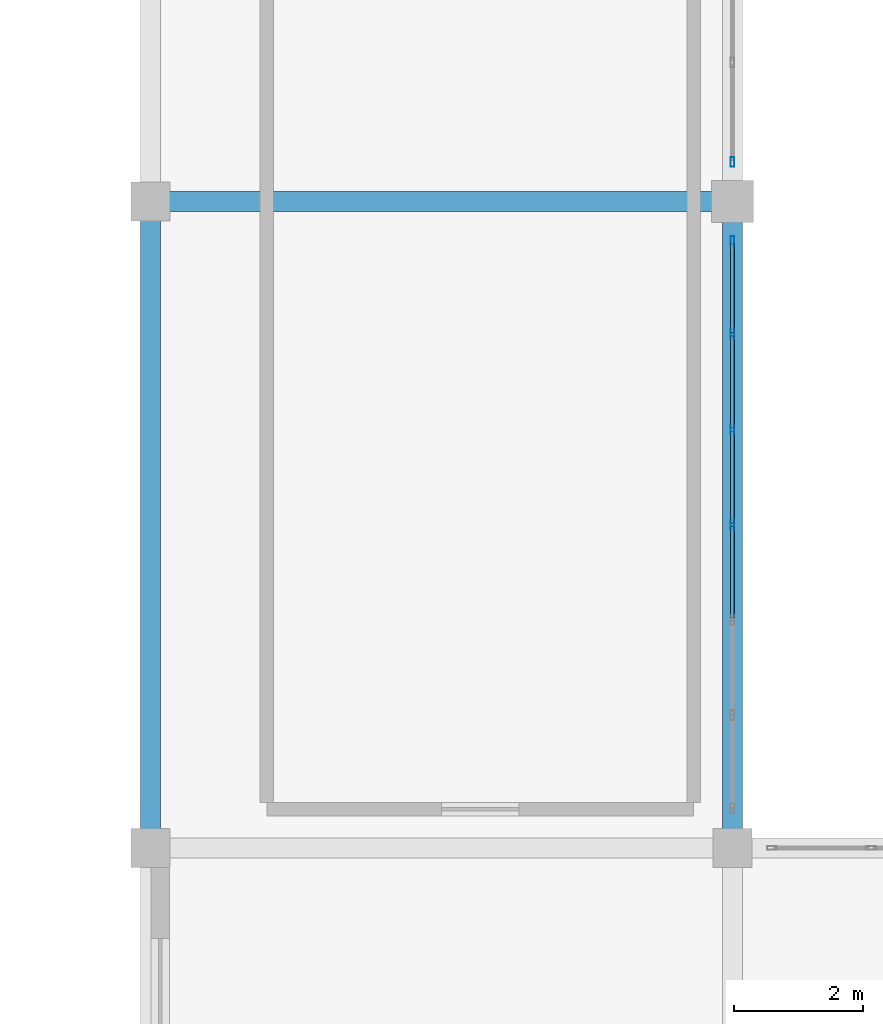
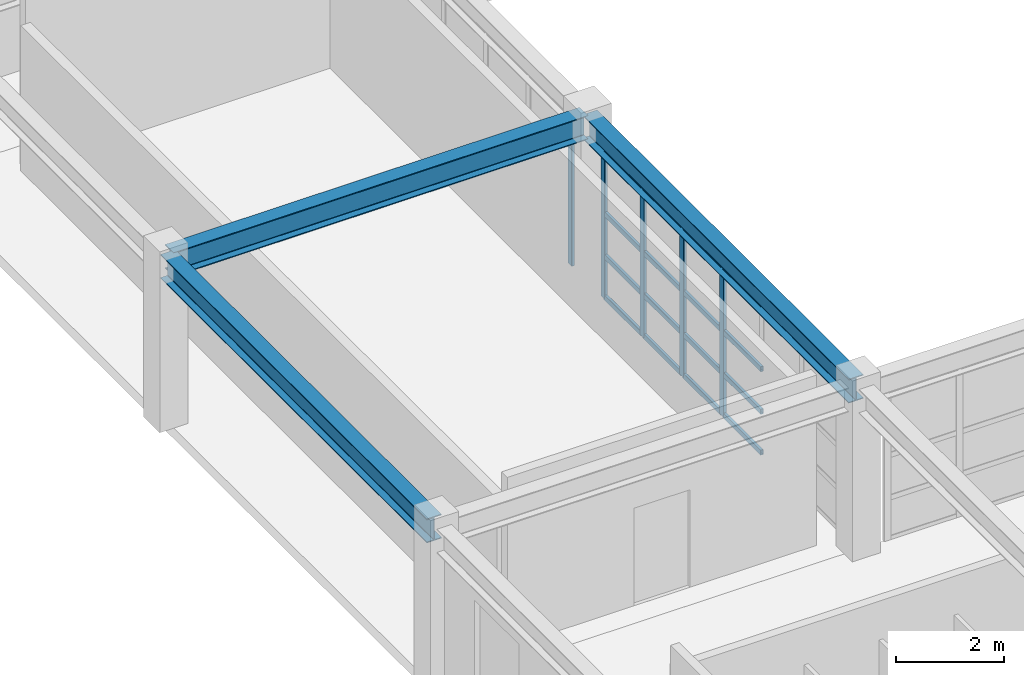
# One storey, part 52 of 110: 21 members, 3 beams, 2 elements without a shape of their own.
"""IFC4 building model written with IfcOpenShell, lengths in metres."""

from ifc_helpers import new_model, si_unit, direction, frame, origin, origin_2d, place, context, subcontext, project, spatial, hollow_rectangle, i_section, extrude, material, material_profile, profile_set, type_object, element, aggregate, save


model = new_model("IFC4")

# Units and contexts
model_context = context("Model", 3, precision=1e-05, world=origin(), true_north=direction((0.0, 1.0)))
body_context = subcontext(model_context, "Body", "Model", "MODEL_VIEW")
ifc_project = project(units=[si_unit("LENGTHUNIT", "METRE"), si_unit("AREAUNIT", "SQUARE_METRE"), si_unit("VOLUMEUNIT", "CUBIC_METRE"), si_unit("PLANEANGLEUNIT", "RADIAN"), si_unit("MASSUNIT", "GRAM", prefix="KILO")], contexts=[model_context])

# Site, building, storey
site_placement = place(None, origin())
site = spatial("IfcSite", under=ifc_project, at=site_placement, CompositionType="ELEMENT")
building_placement = place(site_placement, origin())
building = spatial("IfcBuilding", under=site, at=building_placement, Name="Miravela Opera House", CompositionType="ELEMENT")
storey_placement = place(building_placement, frame((0.0, 0.0, 13.60009765625)))
storey = spatial("IfcBuildingStorey", under=building, at=storey_placement, Name="L03", CompositionType="ELEMENT", Elevation=13.60009765625)

# Curtain wall, members
ifc_material_1 = material(Name="Anodised architectural bronze aluminium 6063-T6", Category="aluminium")
curtain_wall_type = type_object("IfcCurtainWallType", Name="ARC-CW-05", PredefinedType="NOTDEFINED", material=ifc_material_1)
curtain_wall_1_placement = place(storey_placement, origin())
curtain_wall_1 = element("IfcCurtainWall", 1, at=curtain_wall_1_placement, inside=storey, type_object=curtain_wall_type, Name="Courtyard Arcade Curtain Wall CW-L03-109", PredefinedType="NOTDEFINED")
ifc_material_profile_1 = material_profile(ifc_material_1, hollow_rectangle(XDim=0.06005859375, YDim=0.14990234375, WallThickness=0.00390625, InnerFilletRadius=0.001953125, OuterFilletRadius=0.00390625, at=origin_2d()), Name="CWM-60X150")
ifc_profile_set_1 = profile_set([ifc_material_profile_1])
member_type_1 = type_object("IfcMemberType", Name="ARC-CWM-150", PredefinedType="MULLION", material=ifc_profile_set_1)
member_1_placement = place(storey_placement, frame((27.0, 89.0, 0.0), z_axis=(0.0, 0.0, 1.0), x_axis=(-1.0, 0.0, 0.0)))
member_1 = element("IfcMember", 2, at=member_1_placement, type_object=member_type_1, Name="CW-05 mullion 4", PredefinedType="MULLION", context=body_context, shape_type="SweptSolid", body=[
    extrude(hollow_rectangle(XDim=0.06005859375, YDim=0.14990234375, WallThickness=0.00390625, InnerFilletRadius=0.001953125, OuterFilletRadius=0.00390625, at=origin_2d()), origin(), (0.0, 0.0, 1.0), 3.289794921875),
])
member_2_placement = place(storey_placement, frame((27.0, 90.473388671875, 0.0), z_axis=(0.0, 0.0, 1.0), x_axis=(-1.0, 0.0, 0.0)))
member_2 = element("IfcMember", 3, at=member_2_placement, type_object=member_type_1, Name="CW-05 mullion 5", PredefinedType="MULLION", context=body_context, shape_type="SweptSolid", body=[
    extrude(hollow_rectangle(XDim=0.06005859375, YDim=0.14990234375, WallThickness=0.00390625, InnerFilletRadius=0.001953125, OuterFilletRadius=0.00390625, at=origin_2d()), origin(), (0.0, 0.0, 1.0), 3.289794921875),
])
member_3_placement = place(storey_placement, frame((27.0, 91.94677734375, 0.0), z_axis=(0.0, 0.0, 1.0), x_axis=(-1.0, 0.0, 0.0)))
member_3 = element("IfcMember", 4, at=member_3_placement, type_object=member_type_1, Name="CW-05 mullion 6", PredefinedType="MULLION", context=body_context, shape_type="SweptSolid", body=[
    extrude(hollow_rectangle(XDim=0.06005859375, YDim=0.14990234375, WallThickness=0.00390625, InnerFilletRadius=0.001953125, OuterFilletRadius=0.00390625, at=origin_2d()), origin(), (0.0, 0.0, 1.0), 3.289794921875),
])
member_4_placement = place(storey_placement, frame((27.0, 93.389892578125, 0.0), z_axis=(0.0, 0.0, 1.0), x_axis=(-1.0, 0.0, 0.0)))
member_4 = element("IfcMember", 5, at=member_4_placement, type_object=member_type_1, Name="CW-05 mullion 7", PredefinedType="MULLION", context=body_context, shape_type="SweptSolid", body=[
    extrude(hollow_rectangle(XDim=0.06005859375, YDim=0.14990234375, WallThickness=0.00390625, InnerFilletRadius=0.001953125, OuterFilletRadius=0.00390625, at=origin_2d()), origin(), (0.0, 0.0, 1.0), 3.289794921875),
])

# Curtain wall, member
curtain_wall_2_placement = place(storey_placement, origin())
curtain_wall_2 = element("IfcCurtainWall", 6, at=curtain_wall_2_placement, inside=storey, type_object=curtain_wall_type, Name="Courtyard Arcade Curtain Wall CW-L03-110", PredefinedType="NOTDEFINED")
member_5_placement = place(storey_placement, frame((27.0, 94.610107421875, 0.0), z_axis=(0.0, 0.0, 1.0), x_axis=(-1.0, 0.0, 0.0)))
member_5 = element("IfcMember", 7, at=member_5_placement, type_object=member_type_1, Name="CW-05 mullion 1", PredefinedType="MULLION", context=body_context, shape_type="SweptSolid", body=[
    extrude(hollow_rectangle(XDim=0.06005859375, YDim=0.14990234375, WallThickness=0.00390625, InnerFilletRadius=0.001953125, OuterFilletRadius=0.00390625, at=origin_2d()), origin(), (0.0, 0.0, 1.0), 3.289794921875),
])
aggregate(curtain_wall_2, [member_5])

# Member
ifc_material_profile_2 = material_profile(ifc_material_1, hollow_rectangle(XDim=0.06005859375, YDim=0.114990234375, WallThickness=0.00390625, InnerFilletRadius=0.001953125, OuterFilletRadius=0.00390625, at=origin_2d()), Name="CWT-60X115")
ifc_profile_set_2 = profile_set([ifc_material_profile_2])
member_type_2 = type_object("IfcMemberType", Name="ARC-CWT-115", PredefinedType="USERDEFINED", material=ifc_profile_set_2)
member_6_placement = place(storey_placement, frame((27.0, 87.556640625, 0.02978515625), z_axis=(0.0, 1.0, 0.0), x_axis=(-1.0, 0.0, 0.0)))
member_6 = element("IfcMember", 8, at=member_6_placement, type_object=member_type_2, Name="CW-05 transom 3.1", ObjectType="TRANSOM", PredefinedType="USERDEFINED", context=body_context, shape_type="SweptSolid", body=[
    extrude(hollow_rectangle(XDim=0.06005859375, YDim=0.114990234375, WallThickness=0.00390625, InnerFilletRadius=0.001953125, OuterFilletRadius=0.00390625, at=origin_2d()), origin(), (0.0, 0.0, 1.0), 1.413330078125),
])

member_7_placement = place(storey_placement, frame((27.0, 87.556640625, 0.949951171875), z_axis=(0.0, 1.0, 0.0), x_axis=(-1.0, 0.0, 0.0)))
member_7 = element("IfcMember", 9, at=member_7_placement, type_object=member_type_2, Name="CW-05 transom 3.2", ObjectType="TRANSOM", PredefinedType="USERDEFINED", context=body_context, shape_type="SweptSolid", body=[
    extrude(hollow_rectangle(XDim=0.06005859375, YDim=0.114990234375, WallThickness=0.00390625, InnerFilletRadius=0.001953125, OuterFilletRadius=0.00390625, at=origin_2d()), origin(), (0.0, 0.0, 1.0), 1.413330078125),
])

member_8_placement = place(storey_placement, frame((27.0, 87.556640625, 1.908203125), z_axis=(0.0, 1.0, 0.0), x_axis=(-1.0, 0.0, 0.0)))
member_8 = element("IfcMember", 10, at=member_8_placement, type_object=member_type_2, Name="CW-05 transom 3.3", ObjectType="TRANSOM", PredefinedType="USERDEFINED", context=body_context, shape_type="SweptSolid", body=[
    extrude(hollow_rectangle(XDim=0.06005859375, YDim=0.114990234375, WallThickness=0.00390625, InnerFilletRadius=0.001953125, OuterFilletRadius=0.00390625, at=origin_2d()), origin(), (0.0, 0.0, 1.0), 1.413330078125),
])

member_9_placement = place(storey_placement, frame((27.0, 87.556640625, 3.260009765625), z_axis=(0.0, 1.0, 0.0), x_axis=(-1.0, 0.0, 0.0)))
member_9 = element("IfcMember", 11, at=member_9_placement, type_object=member_type_2, Name="CW-05 transom 3.4", ObjectType="TRANSOM", PredefinedType="USERDEFINED", context=body_context, shape_type="SweptSolid", body=[
    extrude(hollow_rectangle(XDim=0.06005859375, YDim=0.114990234375, WallThickness=0.00390625, InnerFilletRadius=0.001953125, OuterFilletRadius=0.00390625, at=origin_2d()), origin(), (0.0, 0.0, 1.0), 1.413330078125),
])

member_10_placement = place(storey_placement, frame((27.0, 89.030029296875, 0.02978515625), z_axis=(0.0, 1.0, 0.0), x_axis=(-1.0, 0.0, 0.0)))
member_10 = element("IfcMember", 12, at=member_10_placement, type_object=member_type_2, Name="CW-05 transom 4.1", ObjectType="TRANSOM", PredefinedType="USERDEFINED", context=body_context, shape_type="SweptSolid", body=[
    extrude(hollow_rectangle(XDim=0.06005859375, YDim=0.114990234375, WallThickness=0.00390625, InnerFilletRadius=0.001953125, OuterFilletRadius=0.00390625, at=origin_2d()), origin(), (0.0, 0.0, 1.0), 1.413330078125),
])

member_11_placement = place(storey_placement, frame((27.0, 89.030029296875, 0.949951171875), z_axis=(0.0, 1.0, 0.0), x_axis=(-1.0, 0.0, 0.0)))
member_11 = element("IfcMember", 13, at=member_11_placement, type_object=member_type_2, Name="CW-05 transom 4.2", ObjectType="TRANSOM", PredefinedType="USERDEFINED", context=body_context, shape_type="SweptSolid", body=[
    extrude(hollow_rectangle(XDim=0.06005859375, YDim=0.114990234375, WallThickness=0.00390625, InnerFilletRadius=0.001953125, OuterFilletRadius=0.00390625, at=origin_2d()), origin(), (0.0, 0.0, 1.0), 1.413330078125),
])

member_12_placement = place(storey_placement, frame((27.0, 89.030029296875, 1.908203125), z_axis=(0.0, 1.0, 0.0), x_axis=(-1.0, 0.0, 0.0)))
member_12 = element("IfcMember", 14, at=member_12_placement, type_object=member_type_2, Name="CW-05 transom 4.3", ObjectType="TRANSOM", PredefinedType="USERDEFINED", context=body_context, shape_type="SweptSolid", body=[
    extrude(hollow_rectangle(XDim=0.06005859375, YDim=0.114990234375, WallThickness=0.00390625, InnerFilletRadius=0.001953125, OuterFilletRadius=0.00390625, at=origin_2d()), origin(), (0.0, 0.0, 1.0), 1.413330078125),
])

member_13_placement = place(storey_placement, frame((27.0, 89.030029296875, 3.260009765625), z_axis=(0.0, 1.0, 0.0), x_axis=(-1.0, 0.0, 0.0)))
member_13 = element("IfcMember", 15, at=member_13_placement, type_object=member_type_2, Name="CW-05 transom 4.4", ObjectType="TRANSOM", PredefinedType="USERDEFINED", context=body_context, shape_type="SweptSolid", body=[
    extrude(hollow_rectangle(XDim=0.06005859375, YDim=0.114990234375, WallThickness=0.00390625, InnerFilletRadius=0.001953125, OuterFilletRadius=0.00390625, at=origin_2d()), origin(), (0.0, 0.0, 1.0), 1.413330078125),
])

member_14_placement = place(storey_placement, frame((27.0, 90.50341796875, 0.02978515625), z_axis=(0.0, 1.0, 0.0), x_axis=(-1.0, 0.0, 0.0)))
member_14 = element("IfcMember", 16, at=member_14_placement, type_object=member_type_2, Name="CW-05 transom 5.1", ObjectType="TRANSOM", PredefinedType="USERDEFINED", context=body_context, shape_type="SweptSolid", body=[
    extrude(hollow_rectangle(XDim=0.06005859375, YDim=0.114990234375, WallThickness=0.00390625, InnerFilletRadius=0.001953125, OuterFilletRadius=0.00390625, at=origin_2d()), origin(), (0.0, 0.0, 1.0), 1.413330078125),
])

member_15_placement = place(storey_placement, frame((27.0, 90.50341796875, 0.949951171875), z_axis=(0.0, 1.0, 0.0), x_axis=(-1.0, 0.0, 0.0)))
member_15 = element("IfcMember", 17, at=member_15_placement, type_object=member_type_2, Name="CW-05 transom 5.2", ObjectType="TRANSOM", PredefinedType="USERDEFINED", context=body_context, shape_type="SweptSolid", body=[
    extrude(hollow_rectangle(XDim=0.06005859375, YDim=0.114990234375, WallThickness=0.00390625, InnerFilletRadius=0.001953125, OuterFilletRadius=0.00390625, at=origin_2d()), origin(), (0.0, 0.0, 1.0), 1.413330078125),
])

member_16_placement = place(storey_placement, frame((27.0, 90.50341796875, 1.908203125), z_axis=(0.0, 1.0, 0.0), x_axis=(-1.0, 0.0, 0.0)))
member_16 = element("IfcMember", 18, at=member_16_placement, type_object=member_type_2, Name="CW-05 transom 5.3", ObjectType="TRANSOM", PredefinedType="USERDEFINED", context=body_context, shape_type="SweptSolid", body=[
    extrude(hollow_rectangle(XDim=0.06005859375, YDim=0.114990234375, WallThickness=0.00390625, InnerFilletRadius=0.001953125, OuterFilletRadius=0.00390625, at=origin_2d()), origin(), (0.0, 0.0, 1.0), 1.413330078125),
])

member_17_placement = place(storey_placement, frame((27.0, 90.50341796875, 3.260009765625), z_axis=(0.0, 1.0, 0.0), x_axis=(-1.0, 0.0, 0.0)))
member_17 = element("IfcMember", 19, at=member_17_placement, type_object=member_type_2, Name="CW-05 transom 5.4", ObjectType="TRANSOM", PredefinedType="USERDEFINED", context=body_context, shape_type="SweptSolid", body=[
    extrude(hollow_rectangle(XDim=0.06005859375, YDim=0.114990234375, WallThickness=0.00390625, InnerFilletRadius=0.001953125, OuterFilletRadius=0.00390625, at=origin_2d()), origin(), (0.0, 0.0, 1.0), 1.413330078125),
])

member_18_placement = place(storey_placement, frame((27.0, 91.9765625, 0.02978515625), z_axis=(0.0, 1.0, 0.0), x_axis=(-1.0, 0.0, 0.0)))
member_18 = element("IfcMember", 20, at=member_18_placement, type_object=member_type_2, Name="CW-05 transom 6.1", ObjectType="TRANSOM", PredefinedType="USERDEFINED", context=body_context, shape_type="SweptSolid", body=[
    extrude(hollow_rectangle(XDim=0.06005859375, YDim=0.114990234375, WallThickness=0.00390625, InnerFilletRadius=0.001953125, OuterFilletRadius=0.00390625, at=origin_2d()), origin(), (0.0, 0.0, 1.0), 1.383544921875),
])

member_19_placement = place(storey_placement, frame((27.0, 91.9765625, 0.949951171875), z_axis=(0.0, 1.0, 0.0), x_axis=(-1.0, 0.0, 0.0)))
member_19 = element("IfcMember", 21, at=member_19_placement, type_object=member_type_2, Name="CW-05 transom 6.2", ObjectType="TRANSOM", PredefinedType="USERDEFINED", context=body_context, shape_type="SweptSolid", body=[
    extrude(hollow_rectangle(XDim=0.06005859375, YDim=0.114990234375, WallThickness=0.00390625, InnerFilletRadius=0.001953125, OuterFilletRadius=0.00390625, at=origin_2d()), origin(), (0.0, 0.0, 1.0), 1.383544921875),
])

member_20_placement = place(storey_placement, frame((27.0, 91.9765625, 1.908203125), z_axis=(0.0, 1.0, 0.0), x_axis=(-1.0, 0.0, 0.0)))
member_20 = element("IfcMember", 22, at=member_20_placement, type_object=member_type_2, Name="CW-05 transom 6.3", ObjectType="TRANSOM", PredefinedType="USERDEFINED", context=body_context, shape_type="SweptSolid", body=[
    extrude(hollow_rectangle(XDim=0.06005859375, YDim=0.114990234375, WallThickness=0.00390625, InnerFilletRadius=0.001953125, OuterFilletRadius=0.00390625, at=origin_2d()), origin(), (0.0, 0.0, 1.0), 1.383544921875),
])

member_21_placement = place(storey_placement, frame((27.0, 91.9765625, 3.260009765625), z_axis=(0.0, 1.0, 0.0), x_axis=(-1.0, 0.0, 0.0)))
member_21 = element("IfcMember", 23, at=member_21_placement, type_object=member_type_2, Name="CW-05 transom 6.4", ObjectType="TRANSOM", PredefinedType="USERDEFINED", context=body_context, shape_type="SweptSolid", body=[
    extrude(hollow_rectangle(XDim=0.06005859375, YDim=0.114990234375, WallThickness=0.00390625, InnerFilletRadius=0.001953125, OuterFilletRadius=0.00390625, at=origin_2d()), origin(), (0.0, 0.0, 1.0), 1.383544921875),
])

aggregate(curtain_wall_1, [member_1, member_2, member_3, member_4, member_6, member_7, member_8, member_9, member_10, member_11, member_12, member_13, member_14, member_15, member_16, member_17, member_18, member_19, member_20, member_21])

# Beams
ifc_material_2 = material(Name="Structural steel ASTM A992 Gr. 50", Category="steel")
ifc_material_profile_3 = material_profile(ifc_material_2, i_section(OverallWidth=0.31201171875, OverallDepth=0.54296875, WebThickness=0.0126953125, FlangeThickness=0.020263671875, FilletRadius=0.01611328125, at=origin_2d()), Name="W530X150")
ifc_profile_set_3 = profile_set([ifc_material_profile_3])
beam_type = type_object("IfcBeamType", Name="STR-BM-W530X150", PredefinedType="BEAM", material=ifc_profile_set_3)
for number, where, z_axis, x_axis, name in (
    (24, (18.0, 84.080078125, 3.568359375), (0.0, 1.0, 0.0), (-1.0, 0.0, 0.0), "Roof Eave Girder ROOF-V3-WEST-M W1"),
    (25, (27.0, 84.080078125, 3.568359375), (0.0, 1.0, 0.0), (-1.0, 0.0, 0.0), "Roof Eave Girder ROOF-V3-WEST-M E1"),
):
    element("IfcBeam", number, at=place(storey_placement, frame(where, z_axis=z_axis, x_axis=x_axis)), inside=storey, type_object=beam_type, Name=name, PredefinedType="BEAM", context=body_context, shape_type="SweptSolid", body=[
        extrude(i_section(OverallWidth=0.31201171875, OverallDepth=0.54296875, WebThickness=0.0126953125, FlangeThickness=0.020263671875, FilletRadius=0.01611328125, at=origin_2d()), origin(), (0.0, 0.0, 1.0), 9.83984375),
    ])
beam_placement = place(storey_placement, frame((18.080078125, 94.0, 3.568359375), z_axis=(1.0, 0.0, 0.0), x_axis=(0.0, 1.0, 0.0)))
element("IfcBeam", 26, at=beam_placement, inside=storey, type_object=beam_type, Name="Roof King-Post Transverse Tie Girder ROOF-V3-WEST-M T1.1", PredefinedType="BEAM", context=body_context, shape_type="SweptSolid", body=[
    extrude(i_section(OverallWidth=0.31201171875, OverallDepth=0.54296875, WebThickness=0.0126953125, FlangeThickness=0.020263671875, FilletRadius=0.01611328125, at=origin_2d()), origin(), (0.0, 0.0, 1.0), 8.83984375),
])

save(model, "model.ifc")
